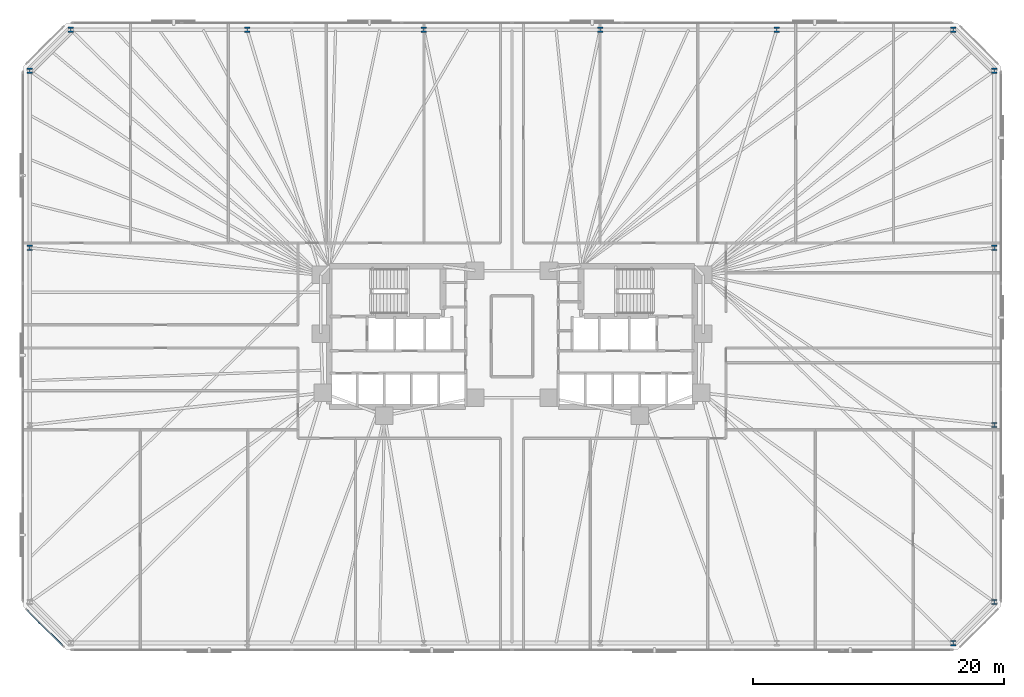
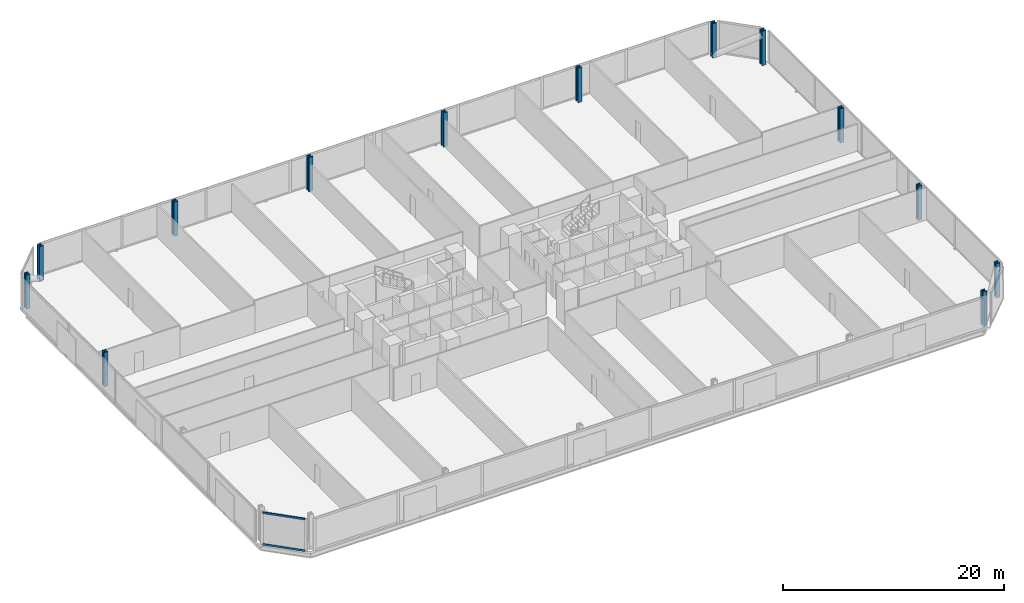
# One storey, part 5 of 17: 13 columns, 2 members, 1 element without a shape of its own.
"""IFC4 building model written with IfcOpenShell, lengths in metres."""

import ifcopenshell
import ifcopenshell.guid

model = None  # the IFC model being written
_history = None  # IfcOwnerHistory: only IFC2X3 demands one
_inside = {}  # id of a spatial element -> (the spatial element, [elements in it])
_under = {}  # id of a project, library or spatial element -> (it, [spatial elements below it])
_declared = {}  # id of a project -> (the project, [libraries it declares])
_typed = {}  # id of a type object -> (the type object, [elements of that type])
_made_of = {}  # id of a material, layer set ... -> (it, [elements and type objects made of it])


def new_model(schema):
    """Start an empty IFC model of exactly this schema.

    Asked for "IFC4X3", IfcOpenShell would pick the latest addendum, in which some entities
    have other attributes; the version numbers below select the first issue.
    IFC2X3 requires an IfcOwnerHistory on every rooted entity: one is made here for all.
    """
    global model, _history
    if schema == "IFC4X3":
        model = ifcopenshell.file(schema_version=(4, 3, 0, 0))
    else:
        model = ifcopenshell.file(schema=schema)
    _inside.clear()
    _under.clear()
    _declared.clear()
    _typed.clear()
    _made_of.clear()
    _history = None
    if model.schema == "IFC2X3":
        org = make("IfcOrganization", Name="unknown")
        user = make(
            "IfcPersonAndOrganization",
            ThePerson=make("IfcPerson", FamilyName="unknown"),
            TheOrganization=org,
        )
        app = make(
            "IfcApplication",
            ApplicationDeveloper=org,
            Version="unknown",
            ApplicationFullName="unknown",
            ApplicationIdentifier="unknown",
        )
        _history = make(
            "IfcOwnerHistory",
            OwningUser=user,
            OwningApplication=app,
            ChangeAction="ADDED",
            CreationDate=0,
        )
    return model


def make(cls, **values):
    """One entity of the class cls with the attributes given. An attribute that is None is left unset."""
    return model.create_entity(
        cls, **{name: value for name, value in values.items() if value is not None}
    )


def rooted(cls, **values):
    """An entity with a GlobalId (a new one), such as an element, a storey or a relation."""
    return make(cls, GlobalId=ifcopenshell.guid.new(), OwnerHistory=_history, **values)


def si_unit(unit_type, name, prefix=None):
    """IfcSIUnit, for example si_unit("LENGTHUNIT", "METRE", prefix="MILLI")."""
    return make("IfcSIUnit", UnitType=unit_type, Prefix=prefix, Name=name)


def assignment(units):
    """IfcUnitAssignment: the units of a project."""
    return None if units is None else make("IfcUnitAssignment", Units=units)


def point(xyz):
    """IfcCartesianPoint."""
    return None if xyz is None else make("IfcCartesianPoint", Coordinates=xyz)


def direction(xyz):
    """IfcDirection."""
    return None if xyz is None else make("IfcDirection", DirectionRatios=xyz)


def frame(location, z_axis=None, x_axis=None):
    """IfcAxis2Placement3D, a coordinate frame: its origin and axes. An axis left out is left unset."""
    return make(
        "IfcAxis2Placement3D",
        Location=point(location),
        Axis=direction(z_axis),
        RefDirection=direction(x_axis),
    )


def frame_2d(location, x_axis=None):
    """IfcAxis2Placement2D, a coordinate frame in the plane: its origin and x axis."""
    return make(
        "IfcAxis2Placement2D", Location=point(location), RefDirection=direction(x_axis)
    )


def origin():
    """The frame at (0, 0, 0) with its axes left unset."""
    return frame((0.0, 0.0, 0.0))


def origin_2d():
    """The frame at (0, 0) in the plane with its x axis left unset."""
    return frame_2d((0.0, 0.0))


def place(relative_to, where):
    """IfcLocalPlacement: puts the frame where relative to a parent placement (None: the world)."""
    return make(
        "IfcLocalPlacement", PlacementRelTo=relative_to, RelativePlacement=where
    )


def context(
    kind, dimensions, precision=None, world=None, true_north=None, identifier=None
):
    """IfcGeometricRepresentationContext, for example the 3D "Model" context."""
    return make(
        "IfcGeometricRepresentationContext",
        ContextIdentifier=identifier,
        ContextType=kind,
        CoordinateSpaceDimension=dimensions,
        Precision=precision,
        WorldCoordinateSystem=world,
        TrueNorth=true_north,
    )


def subcontext(parent, identifier, kind, view, scale=None):
    """IfcGeometricRepresentationSubContext, for example "Body" below "Model"."""
    return make(
        "IfcGeometricRepresentationSubContext",
        ContextIdentifier=identifier,
        ContextType=kind,
        ParentContext=parent,
        TargetScale=scale,
        TargetView=view,
    )


def project(units=None, contexts=None):
    """IfcProject with its units and contexts."""
    return rooted(
        "IfcProject",
        Name="project",
        RepresentationContexts=contexts,
        UnitsInContext=assignment(units),
    )


def spatial(cls, under=None, at=None, **own):
    """A site, building, storey or space (cls), placed at a placement, below another one or the project."""
    s = rooted(cls, ObjectPlacement=at, **own)
    if under is not None:
        _under.setdefault(under.id(), (under, []))[1].append(s)
    return s


def profile(cls, at=None, kind="AREA", **sizes):
    """A parametric profile (cls). Its sizes go by their IFC names, for example OverallWidth=200.0."""
    return make(cls, ProfileType=kind, Position=at, **sizes)


def rectangle(**sizes):
    """IfcRectangleProfileDef."""
    return profile("IfcRectangleProfileDef", **sizes)


def i_section(**sizes):
    """IfcIShapeProfileDef."""
    return profile("IfcIShapeProfileDef", **sizes)


def extrude(swept, where, along, depth):
    """IfcExtrudedAreaSolid: the profile swept, set in the frame where, extruded along a direction by depth."""
    return make(
        "IfcExtrudedAreaSolid",
        SweptArea=swept,
        Position=where,
        ExtrudedDirection=direction(along),
        Depth=depth,
    )


def shape(context_of_items, identifier, shape_type, items):
    """IfcShapeRepresentation: the items that make up one representation, for example the "Body"."""
    return make(
        "IfcShapeRepresentation",
        ContextOfItems=context_of_items,
        RepresentationIdentifier=identifier,
        RepresentationType=shape_type,
        Items=items,
    )


def material(Name=None, Category=None):
    """IfcMaterial."""
    return make("IfcMaterial", Name=Name, Category=Category)


def material_profile(
    of_material, cross_section, Name=None, Category=None, Priority=None
):
    """IfcMaterialProfile: a cross section and its material."""
    return make(
        "IfcMaterialProfile",
        Name=Name,
        Material=of_material,
        Profile=cross_section,
        Priority=Priority,
        Category=Category,
    )


def profile_set(profiles, Name=None, composite=None):
    """IfcMaterialProfileSet."""
    return make(
        "IfcMaterialProfileSet",
        Name=Name,
        MaterialProfiles=profiles,
        CompositeProfile=composite,
    )


def made_of(thing, what):
    """Note that an element or type object is made of a material, layer set ...; save() writes the relation."""
    if what is not None:
        _made_of.setdefault(what.id(), (what, []))[1].append(thing)
    return thing


def type_object(cls, material=None, **own):
    """A type object (cls), such as IfcWallType, which elements share."""
    return made_of(rooted(cls, **own), material)


def element(
    cls,
    number,
    at=None,
    inside=None,
    cuts=None,
    type_object=None,
    material=None,
    context=None,
    identifier="Body",
    shape_type=None,
    held_by="IfcProductDefinitionShape",
    body=None,
    shapes=None,
    **own,
):
    """One element of the class cls, such as IfcWall. Its Tag is "e" and its number.

    at: its placement. inside: the storey or other place that contains it. cuts: it is an
    opening in that element (IfcRelVoidsElement). A single representation is given by context,
    identifier, shape_type and body (its items); several are given by shapes. held_by: the class
    of the entity that holds the representations. save() writes the other relations.
    """
    e = rooted(cls, Tag="e%d" % number, ObjectPlacement=at, **own)
    if body is not None:
        shapes = [shape(context, identifier, shape_type, body)]
    if shapes is not None:
        e.Representation = make(held_by, Representations=shapes)
    if inside is not None:
        _inside.setdefault(inside.id(), (inside, []))[1].append(e)
    if cuts is not None:
        rooted(
            "IfcRelVoidsElement", RelatingBuildingElement=cuts, RelatedOpeningElement=e
        )
    if type_object is not None:
        _typed.setdefault(type_object.id(), (type_object, []))[1].append(e)
    return made_of(e, material)


def aggregate(whole, parts):
    """IfcRelAggregates: a whole, such as a stair, and the parts it consists of."""
    return rooted("IfcRelAggregates", RelatingObject=whole, RelatedObjects=parts)


def save(model, path):
    """Write the relations noted so far, then the file.

    IfcRelAggregates (storeys below a building ...), IfcRelContainedInSpatialStructure (elements
    in a storey), IfcRelDefinesByType, IfcRelAssociatesMaterial and IfcRelDeclares: one each for
    every whole, place, type object, material and project.
    """
    for whole, parts in _under.values():
        aggregate(whole, parts)
    for where, things in _inside.values():
        rooted(
            "IfcRelContainedInSpatialStructure",
            RelatedElements=things,
            RelatingStructure=where,
        )
    for kind, things in _typed.values():
        rooted("IfcRelDefinesByType", RelatedObjects=things, RelatingType=kind)
    for what, things in _made_of.values():
        rooted("IfcRelAssociatesMaterial", RelatedObjects=things, RelatingMaterial=what)
    for by, libraries in _declared.values():
        rooted("IfcRelDeclares", RelatingContext=by, RelatedDefinitions=libraries)
    model.write(path)


model = new_model("IFC4")

# Units and contexts
model_context = context("Model", 3, precision=1e-05, world=origin(), true_north=direction((0.0, 1.0)))
body_context = subcontext(model_context, "Body", "Model", "MODEL_VIEW")
ifc_project = project(units=[si_unit("LENGTHUNIT", "METRE"), si_unit("AREAUNIT", "SQUARE_METRE"), si_unit("VOLUMEUNIT", "CUBIC_METRE"), si_unit("PLANEANGLEUNIT", "RADIAN"), si_unit("MASSUNIT", "GRAM", prefix="KILO")], contexts=[model_context])

# Site, building, storey
site_placement = place(None, origin())
site = spatial("IfcSite", under=ifc_project, at=site_placement, CompositionType="ELEMENT")
building_placement = place(site_placement, origin())
building = spatial("IfcBuilding", under=site, at=building_placement, Name="Menara Jurai Vektor", CompositionType="ELEMENT")
storey_placement = place(building_placement, frame((0.0, 0.0, 63.60009765625)))
storey = spatial("IfcBuildingStorey", under=building, at=storey_placement, Name="L15", CompositionType="ELEMENT", Elevation=63.60009765625)

# Columns
ifc_material_1 = material(Name="Steel S460", Category="steel")
ifc_material_profile_1 = material_profile(ifc_material_1, i_section(OverallWidth=0.419921875, OverallDepth=0.430908203125, WebThickness=0.06494140625, FlangeThickness=0.10595703125, FilletRadius=0.014892578125, at=origin_2d()), Name="HD 400x900")
ifc_profile_set_1 = profile_set([ifc_material_profile_1], Name="Steel S460")
column_type = type_object("IfcColumnType", Name="STR-EXO-BLK1", PredefinedType="COLUMN", material=ifc_profile_set_1)
for number, where, z_axis, x_axis, name in (
    (1, (35.177734375, -24.449951171875, 0.0), (0.0, 0.0, 1.0), (1.0, 0.0, 0.0), "Exoskeleton Column BLK1-S6 L15"),
    (2, (38.449951171875, -21.177734375, 0.0), (0.0, 0.0, 1.0), (1.0, 0.0, 0.0), "Exoskeleton Column BLK1-E1 L15"),
    (3, (38.449951171875, -7.059326171875, 0.0), (0.0, 0.0, 1.0), (1.0, 0.0, 0.0), "Exoskeleton Column BLK1-E2 L15"),
    (4, (38.449951171875, 7.059326171875, 0.0), (0.0, 0.0, 1.0), (1.0, 0.0, 0.0), "Exoskeleton Column BLK1-E3 L15"),
    (5, (38.449951171875, 21.177734375, 0.0), (0.0, 0.0, 1.0), (1.0, 0.0, 0.0), "Exoskeleton Column BLK1-E4 L15"),
    (6, (35.177734375, 24.449951171875, 0.0), (0.0, 0.0, 1.0), (1.0, 0.0, 0.0), "Exoskeleton Column BLK1-N1 L15"),
    (7, (21.106689453125, 24.449951171875, 0.0), (0.0, 0.0, 1.0), (1.0, 0.0, 0.0), "Exoskeleton Column BLK1-N2 L15"),
    (8, (7.03564453125, 24.449951171875, 0.0), (0.0, 0.0, 1.0), (1.0, 0.0, 0.0), "Exoskeleton Column BLK1-N3 L15"),
    (9, (-7.03564453125, 24.449951171875, 0.0), (0.0, 0.0, 1.0), (1.0, 0.0, 0.0), "Exoskeleton Column BLK1-N4 L15"),
    (10, (-21.106689453125, 24.449951171875, 0.0), (0.0, 0.0, 1.0), (1.0, 0.0, 0.0), "Exoskeleton Column BLK1-N5 L15"),
    (11, (-35.177734375, 24.449951171875, 0.0), (0.0, 0.0, 1.0), (1.0, 0.0, 0.0), "Exoskeleton Column BLK1-N6 L15"),
    (12, (-38.449951171875, 21.177734375, 0.0), (0.0, 0.0, 1.0), (1.0, 0.0, 0.0), "Exoskeleton Column BLK1-W1 L15"),
    (13, (-38.449951171875, 7.059326171875, 0.0), (0.0, 0.0, 1.0), (1.0, 0.0, 0.0), "Exoskeleton Column BLK1-W2 L15"),
):
    element("IfcColumn", number, at=place(storey_placement, frame(where, z_axis=z_axis, x_axis=x_axis)), inside=storey, type_object=column_type, Name=name, PredefinedType="COLUMN", context=body_context, shape_type="SweptSolid", body=[
        extrude(i_section(OverallWidth=0.419921875, OverallDepth=0.430908203125, WebThickness=0.06494140625, FlangeThickness=0.10595703125, FilletRadius=0.014892578125, at=origin_2d()), origin(), (0.0, 0.0, 1.0), 3.7998046875),
    ])

# Curtain wall, members
ifc_material_2 = material(Name="Anodised Pale Aluminium & Low-E Double Glazing", Category="aluminium")
curtain_wall_type = type_object("IfcCurtainWallType", Name="CW-BLK1", PredefinedType="NOTDEFINED", material=ifc_material_2)
curtain_wall_placement = place(storey_placement, origin())
curtain_wall = element("IfcCurtainWall", 14, at=curtain_wall_placement, inside=storey, type_object=curtain_wall_type, Name="Unitised Curtain Wall L15 F08", PredefinedType="NOTDEFINED")
ifc_material_3 = material(Name="Anodised Pale Aluminium Transom", Category="aluminium")
ifc_material_profile_2 = material_profile(ifc_material_3, rectangle(XDim=0.094970703125, YDim=0.199951171875, at=origin_2d()), Name="ALU TRN 95x200")
ifc_profile_set_2 = profile_set([ifc_material_profile_2], Name="Anodised Pale Aluminium Transom")
member_type = type_object("IfcMemberType", Name="CW-BLK1-TRN", PredefinedType="USERDEFINED", material=ifc_profile_set_2)
member_1_placement = place(storey_placement, frame((-38.6640625, -21.8359375, 0.04736328125), z_axis=(0.707106781187, -0.707106781187, 0.0), x_axis=(0.707106781187, 0.707106781187, 0.0)))
member_1 = element("IfcMember", 15, at=member_1_placement, type_object=member_type, Name="CW-01 transom 1.1", ObjectType="TRANSOM", PredefinedType="USERDEFINED", context=body_context, shape_type="SweptSolid", body=[
    extrude(rectangle(XDim=0.094970703125, YDim=0.199951171875, at=origin_2d()), origin(), (0.0, 0.0, 1.0), 3.99951171875),
])
member_2_placement = place(storey_placement, frame((-38.6640625, -21.8359375, 3.52734375), z_axis=(0.707106781187, -0.707106781187, 0.0), x_axis=(0.707106781187, 0.707106781187, 0.0)))
member_2 = element("IfcMember", 16, at=member_2_placement, type_object=member_type, Name="CW-01 transom 1.2", ObjectType="TRANSOM", PredefinedType="USERDEFINED", context=body_context, shape_type="SweptSolid", body=[
    extrude(rectangle(XDim=0.094970703125, YDim=0.199951171875, at=origin_2d()), origin(), (0.0, 0.0, 1.0), 3.99951171875),
])
aggregate(curtain_wall, [member_1, member_2])

save(model, "model.ifc")
